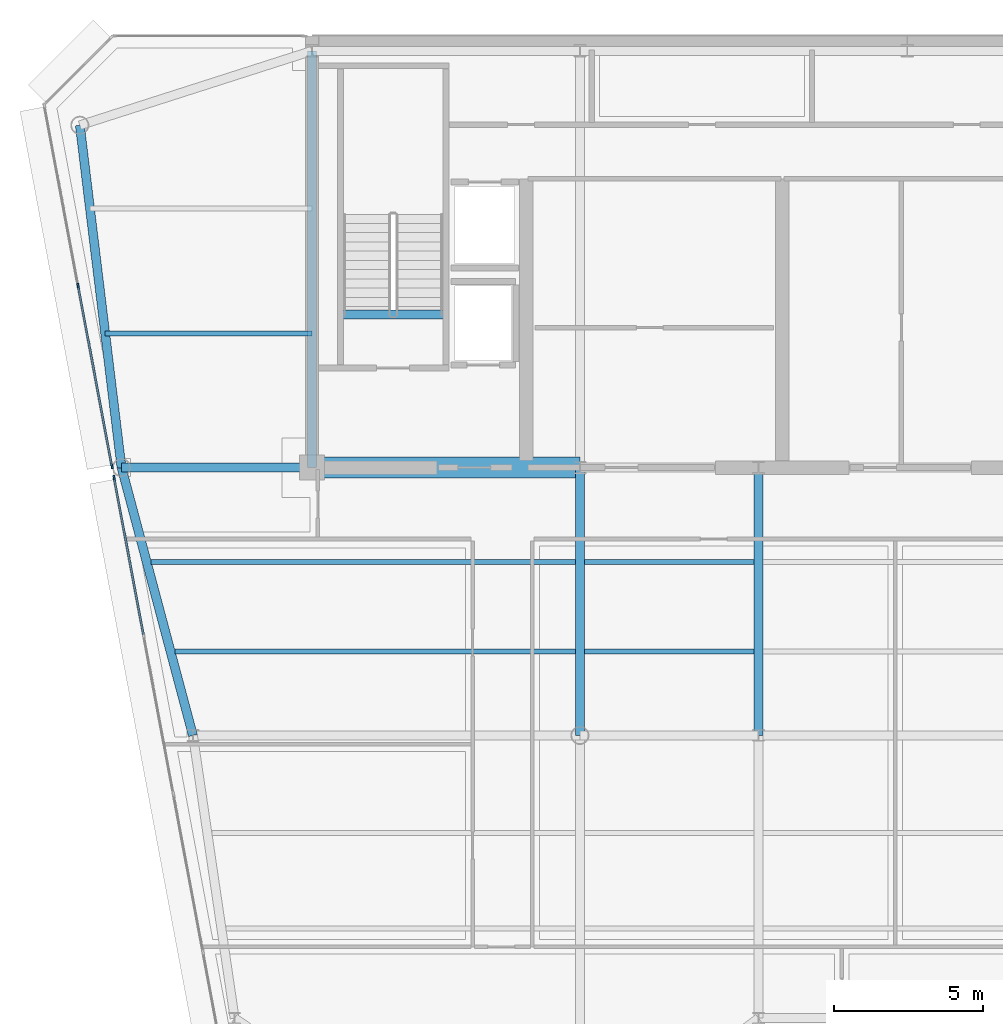
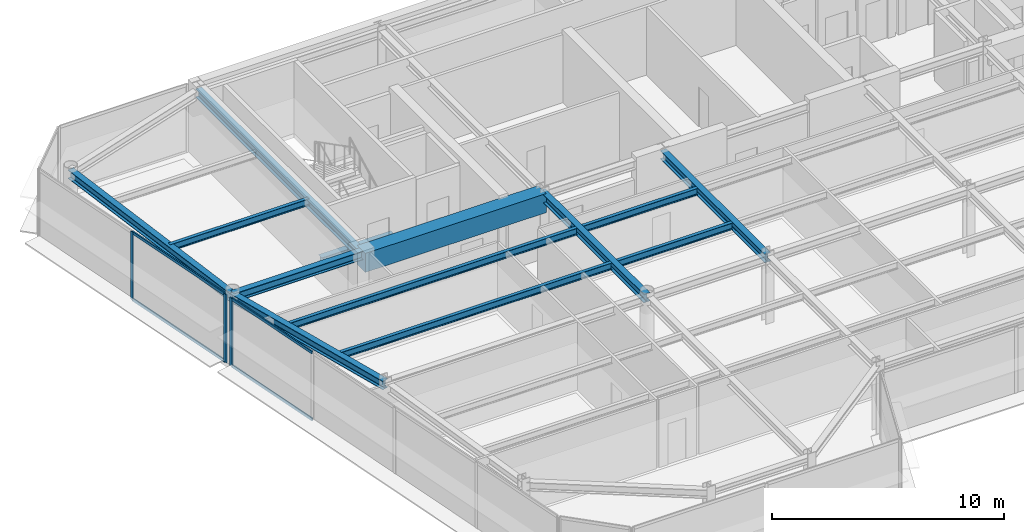
# One storey, part 4 of 20: 13 beams, 7 members, 2 elements without a shape of their own.
"""IFC4 building model written with IfcOpenShell, lengths in metres."""

import ifcopenshell
import ifcopenshell.guid

model = None  # the IFC model being written
_history = None  # IfcOwnerHistory: only IFC2X3 demands one
_inside = {}  # id of a spatial element -> (the spatial element, [elements in it])
_under = {}  # id of a project, library or spatial element -> (it, [spatial elements below it])
_declared = {}  # id of a project -> (the project, [libraries it declares])
_typed = {}  # id of a type object -> (the type object, [elements of that type])
_made_of = {}  # id of a material, layer set ... -> (it, [elements and type objects made of it])


def new_model(schema):
    """Start an empty IFC model of exactly this schema.

    Asked for "IFC4X3", IfcOpenShell would pick the latest addendum, in which some entities
    have other attributes; the version numbers below select the first issue.
    IFC2X3 requires an IfcOwnerHistory on every rooted entity: one is made here for all.
    """
    global model, _history
    if schema == "IFC4X3":
        model = ifcopenshell.file(schema_version=(4, 3, 0, 0))
    else:
        model = ifcopenshell.file(schema=schema)
    _inside.clear()
    _under.clear()
    _declared.clear()
    _typed.clear()
    _made_of.clear()
    _history = None
    if model.schema == "IFC2X3":
        org = make("IfcOrganization", Name="unknown")
        user = make(
            "IfcPersonAndOrganization",
            ThePerson=make("IfcPerson", FamilyName="unknown"),
            TheOrganization=org,
        )
        app = make(
            "IfcApplication",
            ApplicationDeveloper=org,
            Version="unknown",
            ApplicationFullName="unknown",
            ApplicationIdentifier="unknown",
        )
        _history = make(
            "IfcOwnerHistory",
            OwningUser=user,
            OwningApplication=app,
            ChangeAction="ADDED",
            CreationDate=0,
        )
    return model


def make(cls, **values):
    """One entity of the class cls with the attributes given. An attribute that is None is left unset."""
    return model.create_entity(
        cls, **{name: value for name, value in values.items() if value is not None}
    )


def rooted(cls, **values):
    """An entity with a GlobalId (a new one), such as an element, a storey or a relation."""
    return make(cls, GlobalId=ifcopenshell.guid.new(), OwnerHistory=_history, **values)


def si_unit(unit_type, name, prefix=None):
    """IfcSIUnit, for example si_unit("LENGTHUNIT", "METRE", prefix="MILLI")."""
    return make("IfcSIUnit", UnitType=unit_type, Prefix=prefix, Name=name)


def assignment(units):
    """IfcUnitAssignment: the units of a project."""
    return None if units is None else make("IfcUnitAssignment", Units=units)


def point(xyz):
    """IfcCartesianPoint."""
    return None if xyz is None else make("IfcCartesianPoint", Coordinates=xyz)


def direction(xyz):
    """IfcDirection."""
    return None if xyz is None else make("IfcDirection", DirectionRatios=xyz)


def frame(location, z_axis=None, x_axis=None):
    """IfcAxis2Placement3D, a coordinate frame: its origin and axes. An axis left out is left unset."""
    return make(
        "IfcAxis2Placement3D",
        Location=point(location),
        Axis=direction(z_axis),
        RefDirection=direction(x_axis),
    )


def frame_2d(location, x_axis=None):
    """IfcAxis2Placement2D, a coordinate frame in the plane: its origin and x axis."""
    return make(
        "IfcAxis2Placement2D", Location=point(location), RefDirection=direction(x_axis)
    )


def origin():
    """The frame at (0, 0, 0) with its axes left unset."""
    return frame((0.0, 0.0, 0.0))


def origin_2d():
    """The frame at (0, 0) in the plane with its x axis left unset."""
    return frame_2d((0.0, 0.0))


def place(relative_to, where):
    """IfcLocalPlacement: puts the frame where relative to a parent placement (None: the world)."""
    return make(
        "IfcLocalPlacement", PlacementRelTo=relative_to, RelativePlacement=where
    )


def context(
    kind, dimensions, precision=None, world=None, true_north=None, identifier=None
):
    """IfcGeometricRepresentationContext, for example the 3D "Model" context."""
    return make(
        "IfcGeometricRepresentationContext",
        ContextIdentifier=identifier,
        ContextType=kind,
        CoordinateSpaceDimension=dimensions,
        Precision=precision,
        WorldCoordinateSystem=world,
        TrueNorth=true_north,
    )


def subcontext(parent, identifier, kind, view, scale=None):
    """IfcGeometricRepresentationSubContext, for example "Body" below "Model"."""
    return make(
        "IfcGeometricRepresentationSubContext",
        ContextIdentifier=identifier,
        ContextType=kind,
        ParentContext=parent,
        TargetScale=scale,
        TargetView=view,
    )


def project(units=None, contexts=None):
    """IfcProject with its units and contexts."""
    return rooted(
        "IfcProject",
        Name="project",
        RepresentationContexts=contexts,
        UnitsInContext=assignment(units),
    )


def spatial(cls, under=None, at=None, **own):
    """A site, building, storey or space (cls), placed at a placement, below another one or the project."""
    s = rooted(cls, ObjectPlacement=at, **own)
    if under is not None:
        _under.setdefault(under.id(), (under, []))[1].append(s)
    return s


def profile(cls, at=None, kind="AREA", **sizes):
    """A parametric profile (cls). Its sizes go by their IFC names, for example OverallWidth=200.0."""
    return make(cls, ProfileType=kind, Position=at, **sizes)


def rectangle(**sizes):
    """IfcRectangleProfileDef."""
    return profile("IfcRectangleProfileDef", **sizes)


def i_section(**sizes):
    """IfcIShapeProfileDef."""
    return profile("IfcIShapeProfileDef", **sizes)


def extrude(swept, where, along, depth):
    """IfcExtrudedAreaSolid: the profile swept, set in the frame where, extruded along a direction by depth."""
    return make(
        "IfcExtrudedAreaSolid",
        SweptArea=swept,
        Position=where,
        ExtrudedDirection=direction(along),
        Depth=depth,
    )


def shape(context_of_items, identifier, shape_type, items):
    """IfcShapeRepresentation: the items that make up one representation, for example the "Body"."""
    return make(
        "IfcShapeRepresentation",
        ContextOfItems=context_of_items,
        RepresentationIdentifier=identifier,
        RepresentationType=shape_type,
        Items=items,
    )


def source(mapping_origin, context_of_items, identifier, shape_type, items):
    """IfcRepresentationMap: a shape defined once, which mapped items show again and again."""
    return make(
        "IfcRepresentationMap",
        MappingOrigin=mapping_origin,
        MappedRepresentation=shape(context_of_items, identifier, shape_type, items),
    )


def transform(
    local_origin,
    x_axis=None,
    y_axis=None,
    z_axis=None,
    scale=None,
    scale2=None,
    scale3=None,
    uniform=True,
):
    """IfcCartesianTransformationOperator3D, or its non-uniform kind. x_axis, y_axis, z_axis: its Axis1, 2, 3."""
    if uniform:
        return make(
            "IfcCartesianTransformationOperator3D",
            Axis1=direction(x_axis),
            Axis2=direction(y_axis),
            LocalOrigin=point(local_origin),
            Scale=scale,
            Axis3=direction(z_axis),
        )
    return make(
        "IfcCartesianTransformationOperator3DnonUniform",
        Axis1=direction(x_axis),
        Axis2=direction(y_axis),
        LocalOrigin=point(local_origin),
        Scale=scale,
        Axis3=direction(z_axis),
        Scale2=scale2,
        Scale3=scale3,
    )


def mapped(mapping_source, mapping_target):
    """IfcMappedItem: shows the shape of a source again, moved by a transform."""
    return make(
        "IfcMappedItem", MappingSource=mapping_source, MappingTarget=mapping_target
    )


def material(Name=None, Category=None):
    """IfcMaterial."""
    return make("IfcMaterial", Name=Name, Category=Category)


def layer(
    of_material, thickness, ventilated=None, Name=None, Category=None, Priority=None
):
    """IfcMaterialLayer: one layer of a wall or slab, of a material (None: an air gap)."""
    return make(
        "IfcMaterialLayer",
        Material=of_material,
        LayerThickness=thickness,
        IsVentilated=ventilated,
        Name=Name,
        Category=Category,
        Priority=Priority,
    )


def layer_set(layers, Name=None):
    """IfcMaterialLayerSet."""
    return make("IfcMaterialLayerSet", MaterialLayers=layers, LayerSetName=Name)


def material_profile(
    of_material, cross_section, Name=None, Category=None, Priority=None
):
    """IfcMaterialProfile: a cross section and its material."""
    return make(
        "IfcMaterialProfile",
        Name=Name,
        Material=of_material,
        Profile=cross_section,
        Priority=Priority,
        Category=Category,
    )


def profile_set(profiles, Name=None, composite=None):
    """IfcMaterialProfileSet."""
    return make(
        "IfcMaterialProfileSet",
        Name=Name,
        MaterialProfiles=profiles,
        CompositeProfile=composite,
    )


def made_of(thing, what):
    """Note that an element or type object is made of a material, layer set ...; save() writes the relation."""
    if what is not None:
        _made_of.setdefault(what.id(), (what, []))[1].append(thing)
    return thing


def type_object(cls, material=None, **own):
    """A type object (cls), such as IfcWallType, which elements share."""
    return made_of(rooted(cls, **own), material)


def element(
    cls,
    number,
    at=None,
    inside=None,
    cuts=None,
    type_object=None,
    material=None,
    context=None,
    identifier="Body",
    shape_type=None,
    held_by="IfcProductDefinitionShape",
    body=None,
    shapes=None,
    **own,
):
    """One element of the class cls, such as IfcWall. Its Tag is "e" and its number.

    at: its placement. inside: the storey or other place that contains it. cuts: it is an
    opening in that element (IfcRelVoidsElement). A single representation is given by context,
    identifier, shape_type and body (its items); several are given by shapes. held_by: the class
    of the entity that holds the representations. save() writes the other relations.
    """
    e = rooted(cls, Tag="e%d" % number, ObjectPlacement=at, **own)
    if body is not None:
        shapes = [shape(context, identifier, shape_type, body)]
    if shapes is not None:
        e.Representation = make(held_by, Representations=shapes)
    if inside is not None:
        _inside.setdefault(inside.id(), (inside, []))[1].append(e)
    if cuts is not None:
        rooted(
            "IfcRelVoidsElement", RelatingBuildingElement=cuts, RelatedOpeningElement=e
        )
    if type_object is not None:
        _typed.setdefault(type_object.id(), (type_object, []))[1].append(e)
    return made_of(e, material)


def aggregate(whole, parts):
    """IfcRelAggregates: a whole, such as a stair, and the parts it consists of."""
    return rooted("IfcRelAggregates", RelatingObject=whole, RelatedObjects=parts)


def save(model, path):
    """Write the relations noted so far, then the file.

    IfcRelAggregates (storeys below a building ...), IfcRelContainedInSpatialStructure (elements
    in a storey), IfcRelDefinesByType, IfcRelAssociatesMaterial and IfcRelDeclares: one each for
    every whole, place, type object, material and project.
    """
    for whole, parts in _under.values():
        aggregate(whole, parts)
    for where, things in _inside.values():
        rooted(
            "IfcRelContainedInSpatialStructure",
            RelatedElements=things,
            RelatingStructure=where,
        )
    for kind, things in _typed.values():
        rooted("IfcRelDefinesByType", RelatedObjects=things, RelatingType=kind)
    for what, things in _made_of.values():
        rooted("IfcRelAssociatesMaterial", RelatedObjects=things, RelatingMaterial=what)
    for by, libraries in _declared.values():
        rooted("IfcRelDeclares", RelatingContext=by, RelatedDefinitions=libraries)
    model.write(path)


model = new_model("IFC4")

# Units and contexts
model_context = context("Model", 3, precision=1e-05, world=origin(), true_north=direction((0.0, 1.0)))
body_context = subcontext(model_context, "Body", "Model", "MODEL_VIEW")
ifc_project = project(units=[si_unit("LENGTHUNIT", "METRE"), si_unit("AREAUNIT", "SQUARE_METRE"), si_unit("VOLUMEUNIT", "CUBIC_METRE"), si_unit("PLANEANGLEUNIT", "RADIAN"), si_unit("MASSUNIT", "GRAM", prefix="KILO")], contexts=[model_context])

# Site, building, storey
site_placement = place(None, origin())
site = spatial("IfcSite", under=ifc_project, at=site_placement, CompositionType="ELEMENT")
building_placement = place(site_placement, origin())
building = spatial("IfcBuilding", under=site, at=building_placement, Name="Vaeldorn Concourse Tower", CompositionType="ELEMENT")
storey_placement = place(building_placement, frame((0.0, 0.0, 284.0)))
storey = spatial("IfcBuildingStorey", under=building, at=storey_placement, Name="L73", CompositionType="ELEMENT", Elevation=284.0)

# Beams
ifc_material_1 = material(Name="Concrete C50/60", Category="concrete")
ifc_material_profile_1 = material_profile(ifc_material_1, rectangle(XDim=0.699951171875, YDim=1.0, at=origin_2d()), Name="RC 700x1000")
ifc_profile_set_1 = profile_set([ifc_material_profile_1], Name="Concrete C50/60")
beam_type_1 = type_object("IfcBeamType", Name="BM-CB-RC700", PredefinedType="BEAM", material=ifc_profile_set_1)
shared_shape_1 = source(origin(), body_context, "Body", "SweptSolid", [
    extrude(rectangle(XDim=0.699951171875, YDim=1.0, at=origin_2d()), origin(), (0.0, 0.0, 1.0), 9.0),
])
beam_1_placement = place(storey_placement, frame((14.0, 36.5, 3.080078125), z_axis=(1.0, 0.0, 0.0), x_axis=(0.0, 1.0, 0.0)))
element("IfcBeam", 1, at=beam_1_placement, inside=storey, type_object=beam_type_1, Name="Core Coupling Beam L73-1", PredefinedType="BEAM", context=body_context, shape_type="MappedRepresentation", body=[
    mapped(shared_shape_1, transform((0.0, 0.0, 0.0), scale=1.0)),
])
ifc_material_2 = material(Name="Steel S355", Category="steel")
ifc_material_profile_2 = material_profile(ifc_material_2, i_section(OverallWidth=0.300048828125, OverallDepth=0.340087890625, WebThickness=0.011962890625, FlangeThickness=0.021484375, FilletRadius=0.027099609375, at=origin_2d()), Name="HEB 340")
ifc_profile_set_2 = profile_set([ifc_material_profile_2], Name="Steel S355")
beam_type_2 = type_object("IfcBeamType", Name="BM-ST-TRIM", PredefinedType="BEAM", material=ifc_profile_set_2)
shared_shape_2 = source(origin(), body_context, "Body", "SweptSolid", [
    extrude(i_section(OverallWidth=0.300048828125, OverallDepth=0.340087890625, WebThickness=0.011962890625, FlangeThickness=0.021484375, FilletRadius=0.027099609375, at=origin_2d()), origin(), (0.0, 0.0, 1.0), 3.590087890625),
])
beam_2_placement = place(storey_placement, frame((14.929931640625, 41.639892578125, -0.389892578125), z_axis=(1.0, 0.0, 0.0), x_axis=(0.0, 1.0, 0.0)))
element("IfcBeam", 2, at=beam_2_placement, inside=storey, type_object=beam_type_2, Name="Stair Landing Trimmer Beam ST-1 L73", PredefinedType="BEAM", context=body_context, shape_type="MappedRepresentation", body=[
    mapped(shared_shape_2, transform((0.0, 0.0, 0.0), scale=1.0)),
])
ifc_material_profile_3 = material_profile(ifc_material_2, i_section(OverallWidth=0.169921875, OverallDepth=0.360107421875, WebThickness=0.008056640625, FlangeThickness=0.0126953125, FilletRadius=0.01806640625, at=origin_2d()), Name="IPE 360")
ifc_profile_set_3 = profile_set([ifc_material_profile_3], Name="Steel S355")
beam_type_3 = type_object("IfcBeamType", Name="BM-JS-IPE360", PredefinedType="JOIST", material=ifc_profile_set_3)
shared_shape_3 = source(origin(), body_context, "Body", "SweptSolid", [
    extrude(i_section(OverallWidth=0.169921875, OverallDepth=0.360107421875, WebThickness=0.008056640625, FlangeThickness=0.0126953125, FilletRadius=0.01806640625, at=origin_2d()), origin(), (0.0, 0.0, 1.0), 6.94775390625),
])
beam_3_placement = place(storey_placement, frame((7.05224609375, 41.0, 3.39990234375), z_axis=(1.0, 0.0, 0.0), x_axis=(0.0, 1.0, 0.0)))
element("IfcBeam", 3, at=beam_3_placement, inside=storey, type_object=beam_type_3, Name="Beam JS-L73-NW-410", PredefinedType="JOIST", context=body_context, shape_type="MappedRepresentation", body=[
    mapped(shared_shape_3, transform((0.0, 0.0, 0.0), scale=1.0)),
])
shared_shape_4 = source(origin(), body_context, "Body", "SweptSolid", [
    extrude(i_section(OverallWidth=0.169921875, OverallDepth=0.360107421875, WebThickness=0.008056640625, FlangeThickness=0.0126953125, FilletRadius=0.01806640625, at=origin_2d()), origin(), (0.0, 0.0, 1.0), 5.7001953125),
])
for number, where, z_axis, x_axis, name in (
    (4, (23.14990234375, 30.320068359375, 3.39990234375), (1.0, 0.0, 0.0), (0.0, 1.0, 0.0), "Beam JS-L73-W2-303"),
    (5, (23.14990234375, 33.320068359375, 3.39990234375), (1.0, 0.0, 0.0), (0.0, 1.0, 0.0), "Beam JS-L73-W2-333"),
):
    element("IfcBeam", number, at=place(storey_placement, frame(where, z_axis=z_axis, x_axis=x_axis)), inside=storey, type_object=beam_type_3, Name=name, PredefinedType="JOIST", context=body_context, shape_type="MappedRepresentation", body=[
        mapped(shared_shape_4, transform((0.0, 0.0, 0.0), scale=1.0)),
    ])
ifc_material_profile_4 = material_profile(ifc_material_2, i_section(OverallWidth=0.300048828125, OverallDepth=0.449951171875, WebThickness=0.013916015625, FlangeThickness=0.02587890625, FilletRadius=0.027099609375, at=origin_2d()), Name="HEB 450")
ifc_profile_set_4 = profile_set([ifc_material_profile_4], Name="Steel S355")
beam_type_4 = type_object("IfcBeamType", Name="BM-PG-HEB450", PredefinedType="BEAM", material=ifc_profile_set_4)
shared_shape_5 = source(origin(), body_context, "Body", "SweptSolid", [
    extrude(i_section(OverallWidth=0.300048828125, OverallDepth=0.449951171875, WebThickness=0.013916015625, FlangeThickness=0.02587890625, FilletRadius=0.027099609375, at=origin_2d()), origin(), (0.0, 0.0, 1.0), 9.0),
])
for number, where, z_axis, x_axis, name in (
    (6, (23.0, 27.5, 3.35498046875), (0.0, 1.0, 0.0), (-1.0, 0.0, 0.0), "Beam BM-L73-C-TW1-C-FC2"),
    (7, (29.0, 27.5, 3.35498046875), (0.0, 1.0, 0.0), (-1.0, 0.0, 0.0), "Beam BM-L73-C-TW2-C-FC3"),
):
    element("IfcBeam", number, at=place(storey_placement, frame(where, z_axis=z_axis, x_axis=x_axis)), inside=storey, type_object=beam_type_4, Name=name, PredefinedType="BEAM", context=body_context, shape_type="MappedRepresentation", body=[
        mapped(shared_shape_5, transform((0.0, 0.0, 0.0), scale=1.0)),
    ])
shared_shape_6 = source(origin(), body_context, "Body", "SweptSolid", [
    extrude(i_section(OverallWidth=0.300048828125, OverallDepth=0.449951171875, WebThickness=0.013916015625, FlangeThickness=0.02587890625, FilletRadius=0.027099609375, at=origin_2d()), origin(), (0.0, 0.0, 1.0), 14.0),
])
beam_4_placement = place(storey_placement, frame((14.0, 36.5, 3.35498046875), z_axis=(0.0, 1.0, 0.0), x_axis=(-1.0, 0.0, 0.0)))
element("IfcBeam", 8, at=beam_4_placement, inside=storey, type_object=beam_type_4, Name="Beam BM-L73-C-FC1-C-HC1", PredefinedType="BEAM", context=body_context, shape_type="MappedRepresentation", body=[
    mapped(shared_shape_6, transform((0.0, 0.0, 0.0), scale=1.0)),
])
shared_shape_7 = source(origin(), body_context, "Body", "SweptSolid", [
    extrude(i_section(OverallWidth=0.300048828125, OverallDepth=0.449951171875, WebThickness=0.013916015625, FlangeThickness=0.02587890625, FilletRadius=0.027099609375, at=origin_2d()), origin(), (0.0, 0.0, 1.0), 11.5849609375),
])
beam_5_placement = place(storey_placement, frame((6.199951171875, 48.0, 3.35498046875), z_axis=(0.120859382899, -0.992669637677, 0.0), x_axis=(0.992669637677, 0.120859382899, 0.0)))
element("IfcBeam", 9, at=beam_5_placement, inside=storey, type_object=beam_type_4, Name="Beam BM-L73-C-NW1-C-NW2", PredefinedType="BEAM", context=body_context, shape_type="MappedRepresentation", body=[
    mapped(shared_shape_7, transform((0.0, 0.0, 0.0), scale=1.0)),
])
shared_shape_8 = source(origin(), body_context, "Body", "SweptSolid", [
    extrude(i_section(OverallWidth=0.300048828125, OverallDepth=0.449951171875, WebThickness=0.013916015625, FlangeThickness=0.02587890625, FilletRadius=0.027099609375, at=origin_2d()), origin(), (0.0, 0.0, 1.0), 6.39990234375),
])
beam_6_placement = place(storey_placement, frame((7.60009765625, 36.5, 3.35498046875), z_axis=(1.0, 0.0, 0.0), x_axis=(0.0, 1.0, 0.0)))
element("IfcBeam", 10, at=beam_6_placement, inside=storey, type_object=beam_type_4, Name="Beam BM-L73-C-NW2-C-FC1", PredefinedType="BEAM", context=body_context, shape_type="MappedRepresentation", body=[
    mapped(shared_shape_8, transform((0.0, 0.0, 0.0), scale=1.0)),
])
shared_shape_9 = source(origin(), body_context, "Body", "SweptSolid", [
    extrude(i_section(OverallWidth=0.300048828125, OverallDepth=0.449951171875, WebThickness=0.013916015625, FlangeThickness=0.02587890625, FilletRadius=0.027099609375, at=origin_2d()), origin(), (0.0, 0.0, 1.0), 9.314453125),
])
beam_7_placement = place(storey_placement, frame((7.60009765625, 36.5, 3.35498046875), z_axis=(0.257652862255, -0.966237549763, 0.0), x_axis=(0.966237549763, 0.257652862255, 0.0)))
element("IfcBeam", 11, at=beam_7_placement, inside=storey, type_object=beam_type_4, Name="Beam BM-L73-C-NW2-C-FLW1", PredefinedType="BEAM", context=body_context, shape_type="MappedRepresentation", body=[
    mapped(shared_shape_9, transform((0.0, 0.0, 0.0), scale=1.0)),
])
shared_shape_10 = source(origin(), body_context, "Body", "SweptSolid", [
    extrude(i_section(OverallWidth=0.169921875, OverallDepth=0.360107421875, WebThickness=0.008056640625, FlangeThickness=0.0126953125, FilletRadius=0.01806640625, at=origin_2d()), origin(), (0.0, 0.0, 1.0), 13.4521484375),
])
beam_8_placement = place(storey_placement, frame((9.39794921875, 30.320068359375, 3.39990234375), z_axis=(1.0, 0.0, 0.0), x_axis=(0.0, 1.0, 0.0)))
element("IfcBeam", 12, at=beam_8_placement, inside=storey, type_object=beam_type_3, Name="Beam JS-L73-W1-303", PredefinedType="JOIST", context=body_context, shape_type="MappedRepresentation", body=[
    mapped(shared_shape_10, transform((0.0, 0.0, 0.0), scale=1.0)),
])
shared_shape_11 = source(origin(), body_context, "Body", "SweptSolid", [
    extrude(i_section(OverallWidth=0.169921875, OverallDepth=0.360107421875, WebThickness=0.008056640625, FlangeThickness=0.0126953125, FilletRadius=0.01806640625, at=origin_2d()), origin(), (0.0, 0.0, 1.0), 14.252197265625),
])
beam_9_placement = place(storey_placement, frame((8.597900390625, 33.320068359375, 3.39990234375), z_axis=(1.0, 0.0, 0.0), x_axis=(0.0, 1.0, 0.0)))
element("IfcBeam", 13, at=beam_9_placement, inside=storey, type_object=beam_type_3, Name="Beam JS-L73-W1-333", PredefinedType="JOIST", context=body_context, shape_type="MappedRepresentation", body=[
    mapped(shared_shape_11, transform((0.0, 0.0, 0.0), scale=1.0)),
])

# Curtain wall, members
ifc_material_3 = material(Name="Anodised Bronze Aluminium", Category="aluminium")
ifc_layer = layer(ifc_material_3, 0.179931640625)
ifc_layer_set = layer_set([ifc_layer], Name="Anodised Bronze Aluminium")
curtain_wall_type = type_object("IfcCurtainWallType", Name="CW-SYS-05", PredefinedType="NOTDEFINED", material=ifc_layer_set)
curtain_wall_1_placement = place(storey_placement, origin())
curtain_wall_1 = element("IfcCurtainWall", 14, at=curtain_wall_1_placement, inside=storey, type_object=curtain_wall_type, Name="Unitised Curtain Wall CW-L73-E11-1", PredefinedType="NOTDEFINED")
ifc_material_profile_5 = material_profile(ifc_material_3, rectangle(XDim=0.06494140625, YDim=0.169921875, at=origin_2d()), Name="CWM 65x170")
ifc_profile_set_5 = profile_set([ifc_material_profile_5], Name="Anodised Bronze Aluminium")
member_type_1 = type_object("IfcMemberType", Name="CWM-BRONZE-170", PredefinedType="MULLION", material=ifc_profile_set_5)
shared_shape_12 = source(origin(), body_context, "Body", "SweptSolid", [
    extrude(rectangle(XDim=0.06494140625, YDim=0.169921875, at=origin_2d()), origin(), (0.0, 0.0, 1.0), 3.580078125),
])
member_1_placement = place(storey_placement, frame((6.142578125, 42.605224609375, 0.0), z_axis=(0.0, 0.0, 1.0), x_axis=(0.982880218842, 0.184245693053, 0.0)))
member_1 = element("IfcMember", 15, at=member_1_placement, type_object=member_type_1, Name="CW-05 mullion 2", PredefinedType="MULLION", context=body_context, shape_type="MappedRepresentation", body=[
    mapped(shared_shape_12, transform((0.0, 0.0, 0.0), scale=1.0)),
])
member_2_placement = place(storey_placement, frame((7.279052734375, 36.542236328125, 0.0), z_axis=(0.0, 0.0, 1.0), x_axis=(0.982880218842, 0.184245693053, 0.0)))
member_2 = element("IfcMember", 16, at=member_2_placement, type_object=member_type_1, Name="CW-05 mullion 3", PredefinedType="MULLION", context=body_context, shape_type="MappedRepresentation", body=[
    mapped(shared_shape_12, transform((0.0, 0.0, 0.0), scale=1.0)),
])

curtain_wall_2_placement = place(storey_placement, origin())
curtain_wall_2 = element("IfcCurtainWall", 17, at=curtain_wall_2_placement, inside=storey, type_object=curtain_wall_type, Name="Unitised Curtain Wall CW-L73-E11-2", PredefinedType="NOTDEFINED")
member_3_placement = place(storey_placement, frame((7.35205078125, 36.153076171875, 0.0), z_axis=(0.0, 0.0, 1.0), x_axis=(0.982880027444, 0.184246714088, 0.0)))
member_3 = element("IfcMember", 18, at=member_3_placement, type_object=member_type_1, Name="CW-05 mullion 1", PredefinedType="MULLION", context=body_context, shape_type="MappedRepresentation", body=[
    mapped(shared_shape_12, transform((0.0, 0.0, 0.0), scale=1.0)),
])
ifc_material_profile_6 = material_profile(ifc_material_3, rectangle(XDim=0.06494140625, YDim=0.14990234375, at=origin_2d()), Name="CWT 65x150")
ifc_profile_set_6 = profile_set([ifc_material_profile_6], Name="Anodised Bronze Aluminium")
member_type_2 = type_object("IfcMemberType", Name="CWT-BRONZE-150", PredefinedType="USERDEFINED", material=ifc_profile_set_6)
shared_shape_13 = source(origin(), body_context, "Body", "SweptSolid", [
    extrude(rectangle(XDim=0.06494140625, YDim=0.14990234375, at=origin_2d()), origin(), (0.0, 0.0, 1.0), 5.31640625),
])
member_4_placement = place(storey_placement, frame((7.35791015625, 36.12109375, 0.032470703125), z_axis=(0.184241399207, -0.982881023735, 0.0), x_axis=(0.982881023735, 0.184241399207, 0.0)))
member_4 = element("IfcMember", 19, at=member_4_placement, type_object=member_type_2, Name="CW-05 transom 1.1", ObjectType="TRANSOM", PredefinedType="USERDEFINED", context=body_context, shape_type="MappedRepresentation", body=[
    mapped(shared_shape_13, transform((0.0, 0.0, 0.0), scale=1.0)),
])
member_5_placement = place(storey_placement, frame((7.35791015625, 36.12109375, 3.547607421875), z_axis=(0.184241399207, -0.982881023735, 0.0), x_axis=(0.982881023735, 0.184241399207, 0.0)))
member_5 = element("IfcMember", 20, at=member_5_placement, type_object=member_type_2, Name="CW-05 transom 1.2", ObjectType="TRANSOM", PredefinedType="USERDEFINED", context=body_context, shape_type="MappedRepresentation", body=[
    mapped(shared_shape_13, transform((0.0, 0.0, 0.0), scale=1.0)),
])
aggregate(curtain_wall_2, [member_3, member_4, member_5])

# Member
shared_shape_14 = source(origin(), body_context, "Body", "SweptSolid", [
    extrude(rectangle(XDim=0.06494140625, YDim=0.14990234375, at=origin_2d()), origin(), (0.0, 0.0, 1.0), 6.103515625),
])
member_6_placement = place(storey_placement, frame((6.1484375, 42.5732421875, 0.032470703125), z_axis=(0.18424023288, -0.982881242363, 0.0), x_axis=(0.982881242363, 0.18424023288, 0.0)))
member_6 = element("IfcMember", 21, at=member_6_placement, type_object=member_type_2, Name="CW-05 transom 2.1", ObjectType="TRANSOM", PredefinedType="USERDEFINED", context=body_context, shape_type="MappedRepresentation", body=[
    mapped(shared_shape_14, transform((0.0, 0.0, 0.0), scale=1.0)),
])

member_7_placement = place(storey_placement, frame((6.1484375, 42.5732421875, 3.547607421875), z_axis=(0.18424023288, -0.982881242363, 0.0), x_axis=(0.982881242363, 0.18424023288, 0.0)))
member_7 = element("IfcMember", 22, at=member_7_placement, type_object=member_type_2, Name="CW-05 transom 2.2", ObjectType="TRANSOM", PredefinedType="USERDEFINED", context=body_context, shape_type="MappedRepresentation", body=[
    mapped(shared_shape_14, transform((0.0, 0.0, 0.0), scale=1.0)),
])

aggregate(curtain_wall_1, [member_1, member_2, member_6, member_7])

save(model, "model.ifc")
